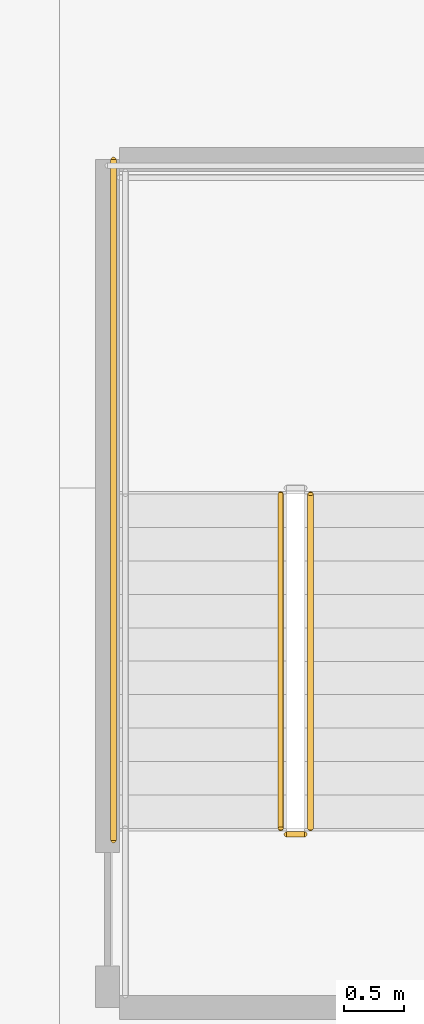
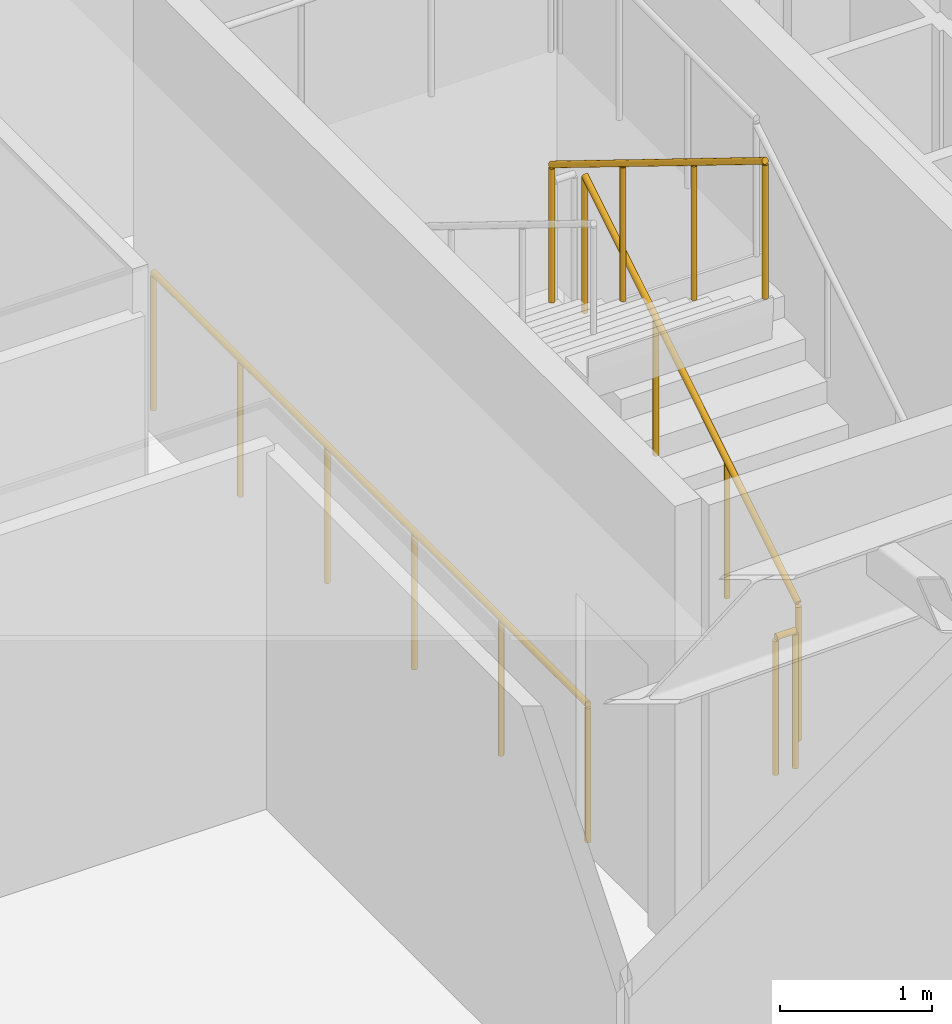
# One storey, part 12 of 18: 4 railings.
"""IFC4 building model written with IfcOpenShell, lengths in metres."""

from ifc_helpers import new_model, si_unit, direction, frame, origin, origin_2d, place, context, subcontext, project, spatial, circle, extrude, material, type_object, element, save


model = new_model("IFC4")

# Units and contexts
model_context = context("Model", 3, precision=1e-05, world=origin(), true_north=direction((0.0, 1.0)))
body_context = subcontext(model_context, "Body", "Model", "MODEL_VIEW")
ifc_project = project(units=[si_unit("LENGTHUNIT", "METRE"), si_unit("AREAUNIT", "SQUARE_METRE"), si_unit("VOLUMEUNIT", "CUBIC_METRE"), si_unit("PLANEANGLEUNIT", "RADIAN"), si_unit("MASSUNIT", "GRAM", prefix="KILO")], contexts=[model_context])

# Site, building, storey
site_placement = place(None, origin())
site = spatial("IfcSite", under=ifc_project, at=site_placement, CompositionType="ELEMENT")
building_placement = place(site_placement, origin())
building = spatial("IfcBuilding", under=site, at=building_placement, Name="Valkerne Bourse Tower", CompositionType="ELEMENT")
storey_placement = place(building_placement, frame((0.0, 0.0, 112.39990234375)))
storey = spatial("IfcBuildingStorey", under=building, at=storey_placement, Name="L28", CompositionType="ELEMENT", Elevation=112.39990234375)

# Railings
ifc_material = material(Name="Galvanised Painted Steel", Category="steel")
railing_type = type_object("IfcRailingType", Name="RLG-ST-GUARD-1120", PredefinedType="GUARDRAIL", material=ifc_material)
railing_1_placement = place(storey_placement, frame((35.699951171875, 24.14990234375, 0.1728515625)))
element("IfcRailing", 1, at=railing_1_placement, inside=storey, type_object=railing_type, Name="L28 ST-3 stair guard 1", PredefinedType="GUARDRAIL", context=body_context, shape_type="SweptSolid", body=[
    extrude(circle(Radius=0.02392578125, at=origin_2d()), frame((0.0, 0.0, 1.09619140625), z_axis=(0.0, 0.851089632645, 0.525020415988), x_axis=(-1.0, 0.0, 0.0)), (0.0, 0.0, 1.0), 3.2900390625),
    extrude(circle(Radius=0.02099609375, at=origin_2d()), origin(), (0.0, 0.0, 1.0), 1.072021484375),
    extrude(circle(Radius=0.02099609375, at=origin_2d()), frame((0.0, 0.933349609375, 0.57568359375)), (0.0, 0.0, 1.0), 1.072021484375),
    extrude(circle(Radius=0.02099609375, at=origin_2d()), frame((0.0, 1.86669921875, 1.151611328125)), (0.0, 0.0, 1.0), 1.072021484375),
    extrude(circle(Radius=0.02099609375, at=origin_2d()), frame((0.0, 2.800048828125, 1.727294921875)), (0.0, 0.0, 1.0), 1.072021484375),
])
railing_2_placement = place(storey_placement, frame((35.449951171875, 26.949951171875, 2.07275390625)))
element("IfcRailing", 2, at=railing_2_placement, inside=storey, type_object=railing_type, Name="L28 ST-3 stair guard 6", PredefinedType="GUARDRAIL", context=body_context, shape_type="SweptSolid", body=[
    extrude(circle(Radius=0.02392578125, at=origin_2d()), frame((0.0, 0.0, 1.09619140625), z_axis=(0.0, -0.851089632645, 0.525020415988), x_axis=(1.0, 0.0, 0.0)), (0.0, 0.0, 1.0), 3.2900390625),
    extrude(circle(Radius=0.02099609375, at=origin_2d()), origin(), (0.0, 0.0, 1.0), 1.072021484375),
    extrude(circle(Radius=0.02099609375, at=origin_2d()), frame((0.0, -0.933349609375, 0.57568359375)), (0.0, 0.0, 1.0), 1.072021484375),
    extrude(circle(Radius=0.02099609375, at=origin_2d()), frame((0.0, -1.86669921875, 1.151611328125)), (0.0, 0.0, 1.0), 1.072021484375),
    extrude(circle(Radius=0.02099609375, at=origin_2d()), frame((0.0, -2.800048828125, 1.727294921875)), (0.0, 0.0, 1.0), 1.072021484375),
])
railing_3_placement = place(storey_placement, frame((35.64990234375, 24.10009765625, 0.0)))
element("IfcRailing", 3, at=railing_3_placement, inside=storey, type_object=railing_type, Name="L28 ST-3 stair guard 7", PredefinedType="GUARDRAIL", context=body_context, shape_type="SweptSolid", body=[
    extrude(circle(Radius=0.02392578125, at=origin_2d()), frame((0.0, 0.0, 1.09619140625), z_axis=(-1.0, 0.0, 0.0), x_axis=(0.0, -1.0, 0.0)), (0.0, 0.0, 1.0), 0.14990234375),
    extrude(circle(Radius=0.02099609375, at=origin_2d()), origin(), (0.0, 0.0, 1.0), 1.072021484375),
    extrude(circle(Radius=0.02099609375, at=origin_2d()), frame((-0.14990234375, 0.0, 0.0)), (0.0, 0.0, 1.0), 1.072021484375),
])
railing_4_placement = place(storey_placement, frame((34.050048828125, 24.050048828125, 0.0)))
element("IfcRailing", 4, at=railing_4_placement, inside=storey, type_object=railing_type, Name="L28 ST-3 stair guard 11", PredefinedType="GUARDRAIL", context=body_context, shape_type="SweptSolid", body=[
    extrude(circle(Radius=0.02392578125, at=origin_2d()), frame((0.0, 0.0, 1.09619140625), z_axis=(0.0, 1.0, 0.0), x_axis=(-1.0, 0.0, 0.0)), (0.0, 0.0, 1.0), 5.699951171875),
    extrude(circle(Radius=0.02099609375, at=origin_2d()), origin(), (0.0, 0.0, 1.0), 1.072021484375),
    extrude(circle(Radius=0.02099609375, at=origin_2d()), frame((0.0, 1.139892578125, 0.0)), (0.0, 0.0, 1.0), 1.072021484375),
    extrude(circle(Radius=0.02099609375, at=origin_2d()), frame((0.0, 2.280029296875, 0.0)), (0.0, 0.0, 1.0), 1.072021484375),
    extrude(circle(Radius=0.02099609375, at=origin_2d()), frame((0.0, 3.419921875, 0.0)), (0.0, 0.0, 1.0), 1.072021484375),
    extrude(circle(Radius=0.02099609375, at=origin_2d()), frame((0.0, 4.56005859375, 0.0)), (0.0, 0.0, 1.0), 1.072021484375),
    extrude(circle(Radius=0.02099609375, at=origin_2d()), frame((0.0, 5.699951171875, 0.0)), (0.0, 0.0, 1.0), 1.072021484375),
])

save(model, "model.ifc")
